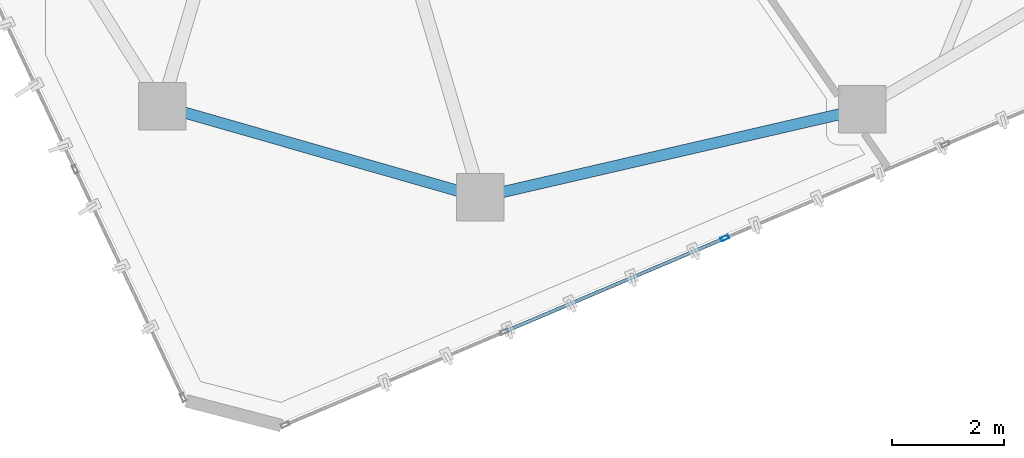
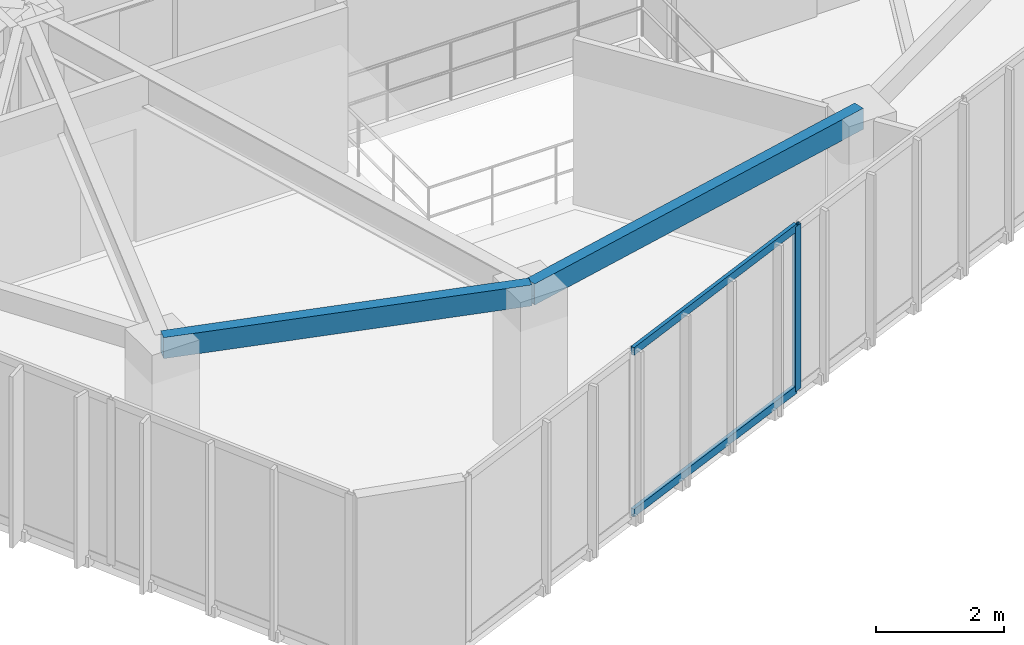
# One storey, part 3 of 20: 3 members, 2 beams, 1 element without a shape of its own.
"""IFC4 building model written with IfcOpenShell, lengths in metres."""

from ifc_helpers import new_model, si_unit, direction, frame, origin, origin_2d, place, context, subcontext, project, spatial, hollow_rectangle, extrude, source, transform, mapped, material, layer, layer_set, material_profile, profile_set, type_object, type_shapes, element, aggregate, save


model = new_model("IFC4")

# Units and contexts
model_context = context("Model", 3, precision=1e-05, world=origin(), true_north=direction((0.0, 1.0)))
body_context = subcontext(model_context, "Body", "Model", "MODEL_VIEW")
ifc_project = project(units=[si_unit("LENGTHUNIT", "METRE"), si_unit("AREAUNIT", "SQUARE_METRE"), si_unit("VOLUMEUNIT", "CUBIC_METRE"), si_unit("PLANEANGLEUNIT", "RADIAN"), si_unit("MASSUNIT", "GRAM", prefix="KILO")], contexts=[model_context])

# Site, building, storey
site_placement = place(None, origin())
site = spatial("IfcSite", under=ifc_project, at=site_placement, CompositionType="ELEMENT")
building_placement = place(site_placement, origin())
building = spatial("IfcBuilding", under=site, at=building_placement, Name="Talar Marvaseh", CompositionType="ELEMENT")
storey_placement = place(building_placement, frame((0.0, 0.0, 274.800048828125)))
storey = spatial("IfcBuildingStorey", under=building, at=storey_placement, Name="L73", CompositionType="ELEMENT", Elevation=274.800048828125)

# Beams
ifc_material_1 = material(Name="Steel S355", Category="steel")
ifc_material_profile_1 = material_profile(ifc_material_1, hollow_rectangle(XDim=0.199951171875, YDim=0.39990234375, WallThickness=0.013916015625, at=origin_2d()), Name="RHS400x200x14")
ifc_profile_set_1 = profile_set([ifc_material_profile_1], Name="Steel S355")
beam_type = type_object("IfcBeamType", Name="Zone 3 Perimeter Spandrel Beam RHS400x200x14", PredefinedType="SPANDREL", material=ifc_profile_set_1)
beam_1_placement = place(storey_placement, frame((28.60498046875, 16.616943359375, 2.93994140625), z_axis=(-0.974361245946, -0.22498924952, 0.0), x_axis=(0.22498924952, -0.974361245946, 0.0)))
element("IfcBeam", 1, at=beam_1_placement, inside=storey, type_object=beam_type, Name="L73 Zone 3 Perimeter Spandrel Beam RHS400x200x14", PredefinedType="SPANDREL", context=body_context, shape_type="SweptSolid", body=[
    extrude(hollow_rectangle(XDim=0.199951171875, YDim=0.39990234375, WallThickness=0.013916015625, at=origin_2d()), origin(), (0.0, 0.0, 1.0), 7.0087890625),
])
beam_2_placement = place(storey_placement, frame((21.77587890625, 15.0400390625, 2.93994140625), z_axis=(-0.961411768303, 0.275113452538, 0.0), x_axis=(-0.275113452538, -0.961411768303, 0.0)))
element("IfcBeam", 2, at=beam_2_placement, inside=storey, type_object=beam_type, Name="L73 Zone 3 Perimeter Spandrel Beam RHS400x200x14", PredefinedType="SPANDREL", context=body_context, shape_type="SweptSolid", body=[
    extrude(hollow_rectangle(XDim=0.199951171875, YDim=0.39990234375, WallThickness=0.013916015625, at=origin_2d()), origin(), (0.0, 0.0, 1.0), 5.917236328125),
])

# Curtain wall, members
ifc_material_2 = material(Name="Architectural Aluminium", Category="aluminium")
ifc_layer = layer(ifc_material_2, 0.179931640625)
ifc_layer_set = layer_set([ifc_layer], Name="Architectural Aluminium")
curtain_wall_type = type_object("IfcCurtainWallType", Name="Unitised High-Wind Sky Curtain Wall Z4", PredefinedType="NOTDEFINED", material=ifc_layer_set)
curtain_wall_placement = place(storey_placement, origin())
curtain_wall = element("IfcCurtainWall", 3, at=curtain_wall_placement, inside=storey, type_object=curtain_wall_type, Name="L73 Unitised High-Wind Sky Curtain Wall Z4", PredefinedType="NOTDEFINED")
ifc_material_profile_2 = material_profile(ifc_material_2, hollow_rectangle(XDim=0.06494140625, YDim=0.14990234375, WallThickness=0.00390625, at=origin_2d()), Name="RHS150x65x4")
ifc_profile_set_2 = profile_set([ifc_material_profile_2], Name="Architectural Aluminium")
member_type_1 = type_object("IfcMemberType", Name="Unitised Curtain Wall Slim Mullion RHS150x65x4", PredefinedType="MULLION", material=ifc_profile_set_2)
shared_shape_1 = source(origin(), body_context, "Body", "SweptSolid", [
    extrude(hollow_rectangle(XDim=0.06494140625, YDim=0.14990234375, WallThickness=0.00390625, at=origin_2d()), origin(), (0.0, 0.0, 1.0), 3.139892578125),
])
type_shapes(member_type_1, [shared_shape_1])
member_1_placement = place(storey_placement, frame((26.148681640625, 14.308837890625, 0.0), z_axis=(0.0, 0.0, 1.0), x_axis=(0.39087261377, -0.920444783681, 0.0)))
member_1 = element("IfcMember", 4, at=member_1_placement, type_object=member_type_1, Name="CW-Z4 mullion 3", PredefinedType="MULLION", context=body_context, shape_type="MappedRepresentation", body=[
    mapped(shared_shape_1, transform((0.0, 0.0, 0.0), x_axis=(1.0, 0.0, 0.0), y_axis=(0.0, 1.0, 0.0), z_axis=(0.0, 0.0, 1.0), scale=1.0)),
])
ifc_material_profile_3 = material_profile(ifc_material_2, hollow_rectangle(XDim=0.06494140625, YDim=0.14990234375, WallThickness=0.00390625, at=origin_2d()), Name="RHS150x65x4")
ifc_profile_set_3 = profile_set([ifc_material_profile_3], Name="Architectural Aluminium")
member_type_2 = type_object("IfcMemberType", Name="Unitised Curtain Wall Slim Transom RHS150x65x4", PredefinedType="USERDEFINED", material=ifc_profile_set_3)
shared_shape_2 = source(origin(), body_context, "Body", "SweptSolid", [
    extrude(hollow_rectangle(XDim=0.06494140625, YDim=0.14990234375, WallThickness=0.00390625, at=origin_2d()), origin(), (0.0, 0.0, 1.0), 4.22119140625),
])
type_shapes(member_type_2, [shared_shape_2])
member_2_placement = place(storey_placement, frame((26.11865234375, 14.296142578125, 0.032470703125), z_axis=(-0.920453188507, -0.390852821108, 0.0), x_axis=(0.390852821108, -0.920453188507, 0.0)))
member_2 = element("IfcMember", 5, at=member_2_placement, type_object=member_type_2, Name="CW-Z4 transom 3.1", ObjectType="TRANSOM", PredefinedType="USERDEFINED", context=body_context, shape_type="MappedRepresentation", body=[
    mapped(shared_shape_2, transform((0.0, 0.0, 0.0), x_axis=(1.0, 0.0, 0.0), y_axis=(0.0, 1.0, 0.0), z_axis=(0.0, 0.0, 1.0), scale=1.0)),
])
member_3_placement = place(storey_placement, frame((26.11865234375, 14.296142578125, 3.107421875), z_axis=(-0.920453188507, -0.390852821108, 0.0), x_axis=(0.390852821108, -0.920453188507, 0.0)))
member_3 = element("IfcMember", 6, at=member_3_placement, type_object=member_type_2, Name="CW-Z4 transom 3.2", ObjectType="TRANSOM", PredefinedType="USERDEFINED", context=body_context, shape_type="MappedRepresentation", body=[
    mapped(shared_shape_2, transform((0.0, 0.0, 0.0), x_axis=(1.0, 0.0, 0.0), y_axis=(0.0, 1.0, 0.0), z_axis=(0.0, 0.0, 1.0), scale=1.0)),
])
aggregate(curtain_wall, [member_1, member_2, member_3])

save(model, "model.ifc")
